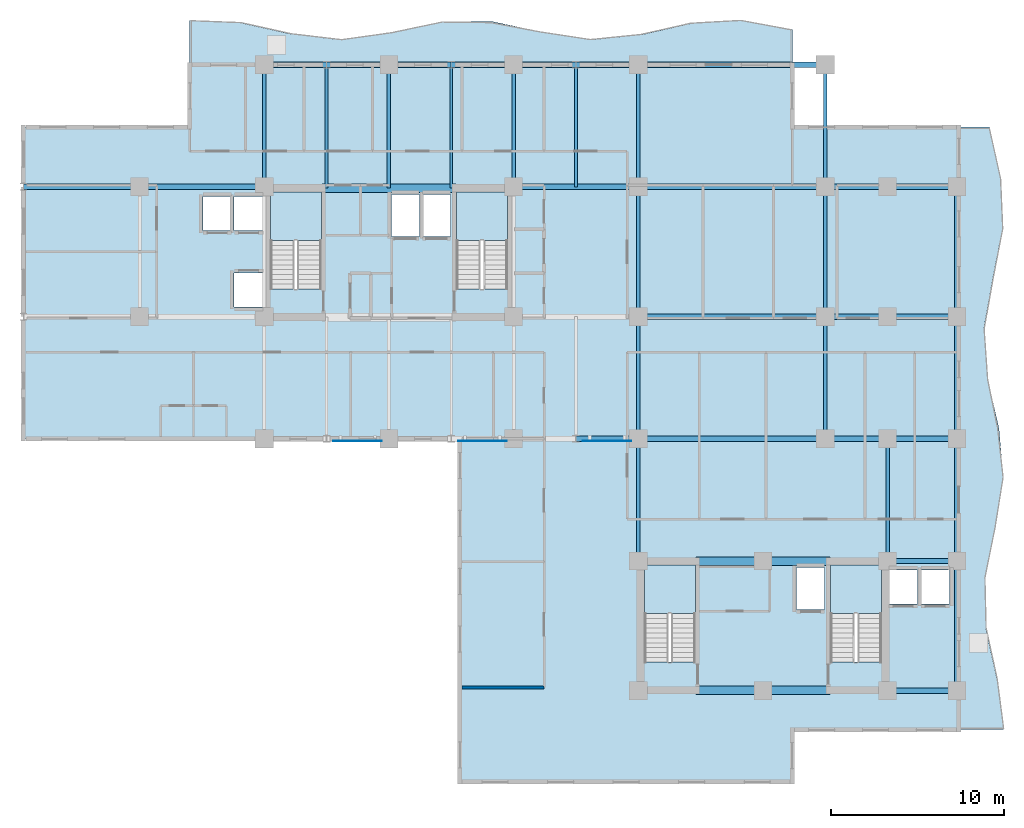
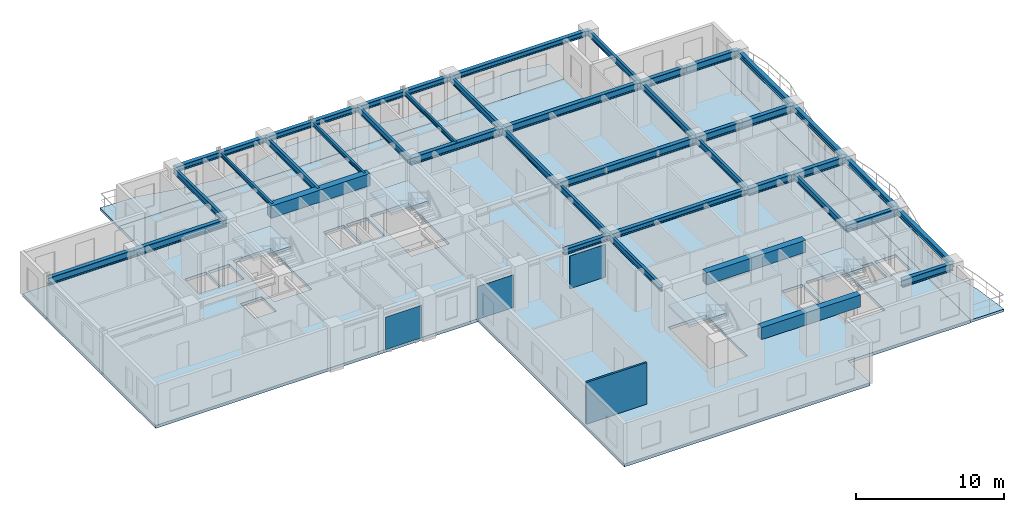
# One storey, part 3 of 13: 43 beams, 7 slabs, 3 plates, 1 wall, 4 elements without a shape of their own.
"""IFC4 building model written with IfcOpenShell, lengths in metres."""

from ifc_helpers import new_model, si_unit, direction, frame, frame_2d, origin, origin_2d, place, context, subcontext, project, spatial, polyline, rectangle, i_section, outline, extrude, source, transform, mapped, material, layer, layer_set, material_profile, profile_set, type_object, element, aggregate, save


model = new_model("IFC4")

# Units and contexts
model_context = context("Model", 3, precision=1e-05, world=origin(), true_north=direction((0.0, 1.0)))
body_context = subcontext(model_context, "Body", "Model", "MODEL_VIEW")
ifc_project = project(units=[si_unit("LENGTHUNIT", "METRE"), si_unit("AREAUNIT", "SQUARE_METRE"), si_unit("VOLUMEUNIT", "CUBIC_METRE"), si_unit("PLANEANGLEUNIT", "RADIAN"), si_unit("MASSUNIT", "GRAM", prefix="KILO")], contexts=[model_context])

# Site, building, storey
site_placement = place(None, origin())
site = spatial("IfcSite", under=ifc_project, at=site_placement, CompositionType="ELEMENT")
building_placement = place(site_placement, origin())
building = spatial("IfcBuilding", under=site, at=building_placement, Name="Kaliganga Portal Commons", CompositionType="ELEMENT")
storey_placement = place(building_placement, frame((0.0, 0.0, 166.10009765625)))
storey = spatial("IfcBuildingStorey", under=building, at=storey_placement, Name="L42", CompositionType="ELEMENT", Elevation=166.10009765625)

# Beams
ifc_material_1 = material(Name="Concrete C50/60", Category="concrete")
ifc_material_profile_1 = material_profile(ifc_material_1, rectangle(XDim=0.5, YDim=1.0, at=origin_2d()), Name="RC 500x1000")
ifc_profile_set_1 = profile_set([ifc_material_profile_1], Name="Concrete C50/60")
beam_type_1 = type_object("IfcBeamType", Name="BM-CPL-1000", PredefinedType="LINTEL", material=ifc_profile_set_1)
shared_shape_1 = source(origin(), body_context, "Body", "SweptSolid", [
    extrude(rectangle(XDim=0.5, YDim=1.0, at=origin_2d()), origin(), (0.0, 0.0, 1.0), 7.739990234375),
])
for number, where, z_axis, x_axis, name in (
    (1, (17.72998046875, 36.074951171875, 2.9599609375), (1.0, 0.0, 0.0), (0.0, 1.0, 0.0), "BM CPL COREA L42 N"),
    (2, (39.330078125, 7.074951171875, 2.9599609375), (1.0, 0.0, 0.0), (0.0, 1.0, 0.0), "BM CPL COREB L42 S"),
    (3, (39.330078125, 14.52490234375, 2.9599609375), (1.0, 0.0, 0.0), (0.0, 1.0, 0.0), "BM CPL COREB L42 N"),
):
    element("IfcBeam", number, at=place(storey_placement, frame(where, z_axis=z_axis, x_axis=x_axis)), inside=storey, type_object=beam_type_1, Name=name, PredefinedType="LINTEL", context=body_context, shape_type="MappedRepresentation", body=[
        mapped(shared_shape_1, transform((0.0, 0.0, 0.0), x_axis=(1.0, 0.0, 0.0), y_axis=(0.0, 1.0, 0.0), z_axis=(0.0, 0.0, 1.0), scale=1.0)),
    ])
ifc_material_2 = material(Name="Structural steel S355J2", Category="steel")
ifc_material_profile_2 = material_profile(ifc_material_2, i_section(OverallWidth=0.199951171875, OverallDepth=0.5, WebThickness=0.01025390625, FlangeThickness=0.01611328125, FilletRadius=0.02099609375, at=origin_2d()), Name="IPE 500")
ifc_profile_set_2 = profile_set([ifc_material_profile_2], Name="Structural steel S355J2 wide-flange")
beam_type_2 = type_object("IfcBeamType", Name="BM-FLR-500", PredefinedType="BEAM", material=ifc_profile_set_2)
shared_shape_2 = source(origin(), body_context, "Body", "SweptSolid", [
    extrude(i_section(OverallWidth=0.199951171875, OverallDepth=0.5, WebThickness=0.01025390625, FlangeThickness=0.01611328125, FilletRadius=0.02099609375, at=origin_2d()), origin(), (0.0, 0.0, 1.0), 7.5),
])
for number, where, z_axis, x_axis, name in (
    (4, (36.0, 28.64990234375, 3.2099609375), (0.0, 1.0, 0.0), (-1.0, 0.0, 0.0), "BM G L42 AM360"),
    (5, (46.800048828125, 28.64990234375, 3.2099609375), (0.0, 1.0, 0.0), (-1.0, 0.0, 0.0), "BM G L42 AM468"),
):
    element("IfcBeam", number, at=place(storey_placement, frame(where, z_axis=z_axis, x_axis=x_axis)), inside=storey, type_object=beam_type_2, Name=name, PredefinedType="BEAM", context=body_context, shape_type="MappedRepresentation", body=[
        mapped(shared_shape_2, transform((0.0, 0.0, 0.0), x_axis=(1.0, 0.0, 0.0), y_axis=(0.0, 1.0, 0.0), z_axis=(0.0, 0.0, 1.0), scale=1.0)),
    ])
shared_shape_3 = source(origin(), body_context, "Body", "SweptSolid", [
    extrude(i_section(OverallWidth=0.199951171875, OverallDepth=0.5, WebThickness=0.01025390625, FlangeThickness=0.01611328125, FilletRadius=0.02099609375, at=origin_2d()), origin(), (0.0, 0.0, 1.0), 7.050048828125),
])
for number, where, z_axis, x_axis, name in (
    (6, (14.39990234375, 36.14990234375, 3.2099609375), (0.0, 1.0, 0.0), (-1.0, 0.0, 0.0), "BM G L42 AN144"),
    (7, (28.800048828125, 36.14990234375, 3.2099609375), (0.0, 1.0, 0.0), (-1.0, 0.0, 0.0), "BM G L42 AN288"),
    (8, (36.0, 36.14990234375, 3.2099609375), (0.0, 1.0, 0.0), (-1.0, 0.0, 0.0), "BM G L42 AN360"),
    (9, (46.800048828125, 36.14990234375, 3.2099609375), (0.0, 1.0, 0.0), (-1.0, 0.0, 0.0), "BM G L42 AN468"),
    (10, (36.0, 14.550048828125, 3.2099609375), (0.0, 1.0, 0.0), (-1.0, 0.0, 0.0), "BM G L42 BNK360"),
    (11, (50.39990234375, 14.550048828125, 3.2099609375), (0.0, 1.0, 0.0), (-1.0, 0.0, 0.0), "BM G L42 BNK504"),
):
    element("IfcBeam", number, at=place(storey_placement, frame(where, z_axis=z_axis, x_axis=x_axis)), inside=storey, type_object=beam_type_2, Name=name, PredefinedType="BEAM", context=body_context, shape_type="MappedRepresentation", body=[
        mapped(shared_shape_3, transform((0.0, 0.0, 0.0), x_axis=(1.0, 0.0, 0.0), y_axis=(0.0, 1.0, 0.0), z_axis=(0.0, 0.0, 1.0), scale=1.0)),
    ])
shared_shape_4 = source(origin(), body_context, "Body", "SweptSolid", [
    extrude(i_section(OverallWidth=0.199951171875, OverallDepth=0.5, WebThickness=0.01025390625, FlangeThickness=0.01611328125, FilletRadius=0.02099609375, at=origin_2d()), origin(), (0.0, 0.0, 1.0), 7.0498046875),
])
for number, where, z_axis, x_axis, name in (
    (12, (36.0, 21.60009765625, 3.2099609375), (0.0, 1.0, 0.0), (-1.0, 0.0, 0.0), "BM G L42 AS360"),
    (13, (46.800048828125, 21.60009765625, 3.2099609375), (0.0, 1.0, 0.0), (-1.0, 0.0, 0.0), "BM G L42 AS468"),
):
    element("IfcBeam", number, at=place(storey_placement, frame(where, z_axis=z_axis, x_axis=x_axis)), inside=storey, type_object=beam_type_2, Name=name, PredefinedType="BEAM", context=body_context, shape_type="MappedRepresentation", body=[
        mapped(shared_shape_4, transform((0.0, 0.0, 0.0), x_axis=(1.0, 0.0, 0.0), y_axis=(0.0, 1.0, 0.0), z_axis=(0.0, 0.0, 1.0), scale=1.0)),
    ])
ifc_material_profile_3 = material_profile(ifc_material_2, i_section(OverallWidth=0.300048828125, OverallDepth=0.449951171875, WebThickness=0.013916015625, FlangeThickness=0.02587890625, FilletRadius=0.027099609375, at=origin_2d()), Name="HE 450 B")
ifc_profile_set_3 = profile_set([ifc_material_profile_3], Name="Structural steel S355J2 wide-flange")
beam_type_3 = type_object("IfcBeamType", Name="BM-SPAND-450", PredefinedType="SPANDREL", material=ifc_profile_set_3)
shared_shape_5 = source(origin(), body_context, "Body", "SweptSolid", [
    extrude(i_section(OverallWidth=0.300048828125, OverallDepth=0.449951171875, WebThickness=0.013916015625, FlangeThickness=0.02587890625, FilletRadius=0.027099609375, at=origin_2d()), origin(), (0.0, 0.0, 1.0), 3.60009765625),
])
for number, where, z_axis, x_axis, name in (
    (14, (14.39990234375, 43.199951171875, 3.23486328125), (1.0, 0.0, 0.0), (0.0, 1.0, 0.0), "BM SP L42 AN 1"),
    (15, (18.0, 43.199951171875, 3.23486328125), (1.0, 0.0, 0.0), (0.0, 1.0, 0.0), "BM SP L42 AN 2"),
    (16, (25.199951171875, 43.199951171875, 3.23486328125), (1.0, 0.0, 0.0), (0.0, 1.0, 0.0), "BM SP L42 AN 4"),
    (17, (32.39990234375, 43.199951171875, 3.23486328125), (1.0, 0.0, 0.0), (0.0, 1.0, 0.0), "BM SP L42 AN 6"),
    (18, (32.39990234375, 21.60009765625, 3.23486328125), (1.0, 0.0, 0.0), (0.0, 1.0, 0.0), "BM SP L42 AS 6"),
):
    element("IfcBeam", number, at=place(storey_placement, frame(where, z_axis=z_axis, x_axis=x_axis)), inside=storey, type_object=beam_type_3, Name=name, PredefinedType="SPANDREL", context=body_context, shape_type="MappedRepresentation", body=[
        mapped(shared_shape_5, transform((0.0, 0.0, 0.0), x_axis=(1.0, 0.0, 0.0), y_axis=(0.0, 1.0, 0.0), z_axis=(0.0, 0.0, 1.0), scale=1.0)),
    ])
shared_shape_6 = source(origin(), body_context, "Body", "SweptSolid", [
    extrude(i_section(OverallWidth=0.300048828125, OverallDepth=0.449951171875, WebThickness=0.013916015625, FlangeThickness=0.02587890625, FilletRadius=0.027099609375, at=origin_2d()), origin(), (0.0, 0.0, 1.0), 3.599853515625),
])
for number, where, z_axis, x_axis, name in (
    (19, (21.60009765625, 43.199951171875, 3.23486328125), (1.0, 0.0, 0.0), (0.0, 1.0, 0.0), "BM SP L42 AN 3"),
    (20, (28.800048828125, 43.199951171875, 3.23486328125), (1.0, 0.0, 0.0), (0.0, 1.0, 0.0), "BM SP L42 AN 5"),
):
    element("IfcBeam", number, at=place(storey_placement, frame(where, z_axis=z_axis, x_axis=x_axis)), inside=storey, type_object=beam_type_3, Name=name, PredefinedType="SPANDREL", context=body_context, shape_type="MappedRepresentation", body=[
        mapped(shared_shape_6, transform((0.0, 0.0, 0.0), x_axis=(1.0, 0.0, 0.0), y_axis=(0.0, 1.0, 0.0), z_axis=(0.0, 0.0, 1.0), scale=1.0)),
    ])
shared_shape_7 = source(origin(), body_context, "Body", "SweptSolid", [
    extrude(i_section(OverallWidth=0.300048828125, OverallDepth=0.449951171875, WebThickness=0.013916015625, FlangeThickness=0.02587890625, FilletRadius=0.027099609375, at=origin_2d()), origin(), (0.0, 0.0, 1.0), 10.800048828125),
])
for number, where, z_axis, x_axis, name in (
    (21, (36.0, 43.199951171875, 3.23486328125), (1.0, 0.0, 0.0), (0.0, 1.0, 0.0), "BM SP L42 AN 7"),
    (22, (36.0, 21.60009765625, 3.23486328125), (1.0, 0.0, 0.0), (0.0, 1.0, 0.0), "BM SP L42 AS 7"),
):
    element("IfcBeam", number, at=place(storey_placement, frame(where, z_axis=z_axis, x_axis=x_axis)), inside=storey, type_object=beam_type_3, Name=name, PredefinedType="SPANDREL", context=body_context, shape_type="MappedRepresentation", body=[
        mapped(shared_shape_7, transform((0.0, 0.0, 0.0), x_axis=(1.0, 0.0, 0.0), y_axis=(0.0, 1.0, 0.0), z_axis=(0.0, 0.0, 1.0), scale=1.0)),
    ])
ifc_material_profile_4 = material_profile(ifc_material_2, i_section(OverallWidth=0.159912109375, OverallDepth=0.330078125, WebThickness=0.007568359375, FlangeThickness=0.011474609375, FilletRadius=0.01806640625, at=origin_2d()), Name="IPE 330")
ifc_profile_set_4 = profile_set([ifc_material_profile_4], Name="Structural steel S355J2 wide-flange")
beam_type_4 = type_object("IfcBeamType", Name="BM-JST-330", PredefinedType="JOIST", material=ifc_profile_set_4)
shared_shape_8 = source(origin(), body_context, "Body", "SweptSolid", [
    extrude(i_section(OverallWidth=0.159912109375, OverallDepth=0.330078125, WebThickness=0.007568359375, FlangeThickness=0.011474609375, FilletRadius=0.01806640625, at=origin_2d()), origin(), (0.0, 0.0, 1.0), 7.050048828125),
])
beam_1_placement = place(storey_placement, frame((32.39990234375, 36.14990234375, 3.294921875), z_axis=(0.0, 1.0, 0.0), x_axis=(-1.0, 0.0, 0.0)))
element("IfcBeam", 23, at=beam_1_placement, inside=storey, type_object=beam_type_4, Name="BM G L42 AN324", PredefinedType="JOIST", context=body_context, shape_type="MappedRepresentation", body=[
    mapped(shared_shape_8, transform((0.0, 0.0, 0.0), x_axis=(1.0, 0.0, 0.0), y_axis=(0.0, 1.0, 0.0), z_axis=(0.0, 0.0, 1.0), scale=1.0)),
])
shared_shape_9 = source(origin(), body_context, "Body", "SweptSolid", [
    extrude(i_section(OverallWidth=0.300048828125, OverallDepth=0.449951171875, WebThickness=0.013916015625, FlangeThickness=0.02587890625, FilletRadius=0.027099609375, at=origin_2d()), origin(), (0.0, 0.0, 1.0), 7.5),
])
for number, where, z_axis, x_axis, name in (
    (24, (54.39990234375, 7.050048828125, 3.23486328125), (0.0, 1.0, 0.0), (-1.0, 0.0, 0.0), "BM SP L42 BE 1"),
    (25, (54.39990234375, 28.64990234375, 3.23486328125), (0.0, 1.0, 0.0), (-1.0, 0.0, 0.0), "BM SP L42 BE 4"),
):
    element("IfcBeam", number, at=place(storey_placement, frame(where, z_axis=z_axis, x_axis=x_axis)), inside=storey, type_object=beam_type_3, Name=name, PredefinedType="SPANDREL", context=body_context, shape_type="MappedRepresentation", body=[
        mapped(shared_shape_9, transform((0.0, 0.0, 0.0), x_axis=(1.0, 0.0, 0.0), y_axis=(0.0, 1.0, 0.0), z_axis=(0.0, 0.0, 1.0), scale=1.0)),
    ])
shared_shape_10 = source(origin(), body_context, "Body", "SweptSolid", [
    extrude(i_section(OverallWidth=0.300048828125, OverallDepth=0.449951171875, WebThickness=0.013916015625, FlangeThickness=0.02587890625, FilletRadius=0.027099609375, at=origin_2d()), origin(), (0.0, 0.0, 1.0), 7.050048828125),
])
beam_2_placement = place(storey_placement, frame((54.39990234375, 14.550048828125, 3.23486328125), z_axis=(0.0, 1.0, 0.0), x_axis=(-1.0, 0.0, 0.0)))
element("IfcBeam", 26, at=beam_2_placement, inside=storey, type_object=beam_type_3, Name="BM SP L42 BE 2", PredefinedType="SPANDREL", context=body_context, shape_type="MappedRepresentation", body=[
    mapped(shared_shape_10, transform((0.0, 0.0, 0.0), x_axis=(1.0, 0.0, 0.0), y_axis=(0.0, 1.0, 0.0), z_axis=(0.0, 0.0, 1.0), scale=1.0)),
])
shared_shape_11 = source(origin(), body_context, "Body", "SweptSolid", [
    extrude(i_section(OverallWidth=0.300048828125, OverallDepth=0.449951171875, WebThickness=0.013916015625, FlangeThickness=0.02587890625, FilletRadius=0.027099609375, at=origin_2d()), origin(), (0.0, 0.0, 1.0), 7.0498046875),
])
beam_3_placement = place(storey_placement, frame((54.39990234375, 21.60009765625, 3.23486328125), z_axis=(0.0, 1.0, 0.0), x_axis=(-1.0, 0.0, 0.0)))
element("IfcBeam", 27, at=beam_3_placement, inside=storey, type_object=beam_type_3, Name="BM SP L42 BE 3", PredefinedType="SPANDREL", context=body_context, shape_type="MappedRepresentation", body=[
    mapped(shared_shape_11, transform((0.0, 0.0, 0.0), x_axis=(1.0, 0.0, 0.0), y_axis=(0.0, 1.0, 0.0), z_axis=(0.0, 0.0, 1.0), scale=1.0)),
])
ifc_material_profile_5 = material_profile(ifc_material_2, i_section(OverallWidth=0.300048828125, OverallDepth=0.60009765625, WebThickness=0.015380859375, FlangeThickness=0.030029296875, FilletRadius=0.027099609375, at=origin_2d()), Name="HE 600 B")
ifc_profile_set_5 = profile_set([ifc_material_profile_5], Name="Structural steel S355J2 wide-flange")
beam_type_5 = type_object("IfcBeamType", Name="BM-GIRD-600", PredefinedType="USERDEFINED", material=ifc_profile_set_5)
shared_shape_12 = source(origin(), body_context, "Body", "SweptSolid", [
    extrude(i_section(OverallWidth=0.300048828125, OverallDepth=0.60009765625, WebThickness=0.015380859375, FlangeThickness=0.030029296875, FilletRadius=0.027099609375, at=origin_2d()), origin(), (0.0, 0.0, 1.0), 6.699951171875),
])
beam_4_placement = place(storey_placement, frame((0.5, 36.14990234375, 3.159912109375), z_axis=(1.0, 0.0, 0.0), x_axis=(0.0, 1.0, 0.0)))
element("IfcBeam", 28, at=beam_4_placement, inside=storey, type_object=beam_type_5, Name="BM G L42 WAH_N 1", ObjectType="GIRDER", PredefinedType="USERDEFINED", context=body_context, shape_type="MappedRepresentation", body=[
    mapped(shared_shape_12, transform((0.0, 0.0, 0.0), x_axis=(1.0, 0.0, 0.0), y_axis=(0.0, 1.0, 0.0), z_axis=(0.0, 0.0, 1.0), scale=1.0)),
])
shared_shape_13 = source(origin(), body_context, "Body", "SweptSolid", [
    extrude(i_section(OverallWidth=0.300048828125, OverallDepth=0.60009765625, WebThickness=0.015380859375, FlangeThickness=0.030029296875, FilletRadius=0.027099609375, at=origin_2d()), origin(), (0.0, 0.0, 1.0), 7.199951171875),
])
for number, where, z_axis, x_axis, name in (
    (29, (7.199951171875, 36.14990234375, 3.159912109375), (1.0, 0.0, 0.0), (0.0, 1.0, 0.0), "BM G L42 WAH_N 2"),
    (30, (28.800048828125, 36.14990234375, 3.159912109375), (1.0, 0.0, 0.0), (0.0, 1.0, 0.0), "BM G L42 WAE_N 1"),
):
    element("IfcBeam", number, at=place(storey_placement, frame(where, z_axis=z_axis, x_axis=x_axis)), inside=storey, type_object=beam_type_5, Name=name, ObjectType="GIRDER", PredefinedType="USERDEFINED", context=body_context, shape_type="MappedRepresentation", body=[
        mapped(shared_shape_13, transform((0.0, 0.0, 0.0), x_axis=(1.0, 0.0, 0.0), y_axis=(0.0, 1.0, 0.0), z_axis=(0.0, 0.0, 1.0), scale=1.0)),
    ])
shared_shape_14 = source(origin(), body_context, "Body", "SweptSolid", [
    extrude(i_section(OverallWidth=0.300048828125, OverallDepth=0.60009765625, WebThickness=0.015380859375, FlangeThickness=0.030029296875, FilletRadius=0.027099609375, at=origin_2d()), origin(), (0.0, 0.0, 1.0), 10.800048828125),
])
for number, where, z_axis, x_axis, name in (
    (31, (36.0, 28.64990234375, 3.159912109375), (1.0, 0.0, 0.0), (0.0, 1.0, 0.0), "BM G L42 WAE_S 2"),
    (32, (36.0, 36.14990234375, 3.159912109375), (1.0, 0.0, 0.0), (0.0, 1.0, 0.0), "BM G L42 WAE_N 2"),
):
    element("IfcBeam", number, at=place(storey_placement, frame(where, z_axis=z_axis, x_axis=x_axis)), inside=storey, type_object=beam_type_5, Name=name, ObjectType="GIRDER", PredefinedType="USERDEFINED", context=body_context, shape_type="MappedRepresentation", body=[
        mapped(shared_shape_14, transform((0.0, 0.0, 0.0), x_axis=(1.0, 0.0, 0.0), y_axis=(0.0, 1.0, 0.0), z_axis=(0.0, 0.0, 1.0), scale=1.0)),
    ])
shared_shape_15 = source(origin(), body_context, "Body", "SweptSolid", [
    extrude(i_section(OverallWidth=0.159912109375, OverallDepth=0.330078125, WebThickness=0.007568359375, FlangeThickness=0.011474609375, FilletRadius=0.01806640625, at=origin_2d()), origin(), (0.0, 0.0, 1.0), 7.125),
])
for number, where, z_axis, x_axis, name in (
    (33, (18.0, 36.074951171875, 3.294921875), (0.0, 1.0, 0.0), (-1.0, 0.0, 0.0), "BM G L42 AN180"),
    (34, (25.199951171875, 36.074951171875, 3.294921875), (0.0, 1.0, 0.0), (-1.0, 0.0, 0.0), "BM G L42 AN252"),
):
    element("IfcBeam", number, at=place(storey_placement, frame(where, z_axis=z_axis, x_axis=x_axis)), inside=storey, type_object=beam_type_4, Name=name, PredefinedType="JOIST", context=body_context, shape_type="MappedRepresentation", body=[
        mapped(shared_shape_15, transform((0.0, 0.0, 0.0), x_axis=(1.0, 0.0, 0.0), y_axis=(0.0, 1.0, 0.0), z_axis=(0.0, 0.0, 1.0), scale=1.0)),
    ])
shared_shape_16 = source(origin(), body_context, "Body", "SweptSolid", [
    extrude(i_section(OverallWidth=0.199951171875, OverallDepth=0.5, WebThickness=0.01025390625, FlangeThickness=0.01611328125, FilletRadius=0.02099609375, at=origin_2d()), origin(), (0.0, 0.0, 1.0), 7.125),
])
beam_5_placement = place(storey_placement, frame((21.60009765625, 36.074951171875, 3.2099609375), z_axis=(0.0, 1.0, 0.0), x_axis=(-1.0, 0.0, 0.0)))
element("IfcBeam", 35, at=beam_5_placement, inside=storey, type_object=beam_type_2, Name="BM G L42 AN216", PredefinedType="BEAM", context=body_context, shape_type="MappedRepresentation", body=[
    mapped(shared_shape_16, transform((0.0, 0.0, 0.0), x_axis=(1.0, 0.0, 0.0), y_axis=(0.0, 1.0, 0.0), z_axis=(0.0, 0.0, 1.0), scale=1.0)),
])
shared_shape_17 = source(origin(), body_context, "Body", "SweptSolid", [
    extrude(i_section(OverallWidth=0.300048828125, OverallDepth=0.60009765625, WebThickness=0.015380859375, FlangeThickness=0.030029296875, FilletRadius=0.027099609375, at=origin_2d()), origin(), (0.0, 0.0, 1.0), 4.0),
])
for number, where, z_axis, x_axis, name in (
    (36, (50.39990234375, 7.050048828125, 3.159912109375), (1.0, 0.0, 0.0), (0.0, 1.0, 0.0), "BM G L42 BKE70 1"),
    (37, (50.39990234375, 14.550048828125, 3.159912109375), (1.0, 0.0, 0.0), (0.0, 1.0, 0.0), "BM G L42 BKE146 1"),
    (38, (50.39990234375, 21.60009765625, 3.159912109375), (1.0, 0.0, 0.0), (0.0, 1.0, 0.0), "BM G L42 BKE216 2"),
    (39, (50.39990234375, 28.64990234375, 3.159912109375), (1.0, 0.0, 0.0), (0.0, 1.0, 0.0), "BM G L42 BKE286 2"),
    (40, (50.39990234375, 36.14990234375, 3.159912109375), (1.0, 0.0, 0.0), (0.0, 1.0, 0.0), "BM G L42 BKE362 2"),
):
    element("IfcBeam", number, at=place(storey_placement, frame(where, z_axis=z_axis, x_axis=x_axis)), inside=storey, type_object=beam_type_5, Name=name, ObjectType="GIRDER", PredefinedType="USERDEFINED", context=body_context, shape_type="MappedRepresentation", body=[
        mapped(shared_shape_17, transform((0.0, 0.0, 0.0), x_axis=(1.0, 0.0, 0.0), y_axis=(0.0, 1.0, 0.0), z_axis=(0.0, 0.0, 1.0), scale=1.0)),
    ])
shared_shape_18 = source(origin(), body_context, "Body", "SweptSolid", [
    extrude(i_section(OverallWidth=0.300048828125, OverallDepth=0.60009765625, WebThickness=0.015380859375, FlangeThickness=0.030029296875, FilletRadius=0.027099609375, at=origin_2d()), origin(), (0.0, 0.0, 1.0), 3.599853515625),
])
for number, where, z_axis, x_axis, name in (
    (41, (46.800048828125, 21.60009765625, 3.159912109375), (1.0, 0.0, 0.0), (0.0, 1.0, 0.0), "BM G L42 BKE216 1"),
    (42, (46.800048828125, 28.64990234375, 3.159912109375), (1.0, 0.0, 0.0), (0.0, 1.0, 0.0), "BM G L42 BKE286 1"),
    (43, (46.800048828125, 36.14990234375, 3.159912109375), (1.0, 0.0, 0.0), (0.0, 1.0, 0.0), "BM G L42 BKE362 1"),
):
    element("IfcBeam", number, at=place(storey_placement, frame(where, z_axis=z_axis, x_axis=x_axis)), inside=storey, type_object=beam_type_5, Name=name, ObjectType="GIRDER", PredefinedType="USERDEFINED", context=body_context, shape_type="MappedRepresentation", body=[
        mapped(shared_shape_18, transform((0.0, 0.0, 0.0), x_axis=(1.0, 0.0, 0.0), y_axis=(0.0, 1.0, 0.0), z_axis=(0.0, 0.0, 1.0), scale=1.0)),
    ])

# Slabs
ifc_material_3 = material(Name="Concrete C40/50", Category="concrete")
ifc_layer_1 = layer(ifc_material_3, 0.2099609375)
ifc_layer_set_1 = layer_set([ifc_layer_1], Name="Concrete C40/50")
slab_type_1 = type_object("IfcSlabType", Name="SLB-BALC-210", PredefinedType="FLOOR", material=ifc_layer_set_1)
slab_1_placement = place(storey_placement, frame((0.0, 0.0, -0.210205078125)))
element("IfcSlab", 44, at=slab_1_placement, inside=storey, type_object=slab_type_1, Name="Scalloped Tree-Planter Balcony Slab L42 balc_north", PredefinedType="FLOOR", context=body_context, shape_type="SweptSolid", body=[
    extrude(outline(polyline([(44.89990234375, 43.199951171875), (44.89990234375, 45.221435546875), (42.0, 45.763671875), (39.10009765625, 45.599609375), (36.199951171875, 44.942626953125), (33.300048828125, 44.649169921875), (30.39990234375, 45.101318359375), (27.5, 45.7099609375), (24.60009765625, 45.682373046875), (21.699951171875, 45.05419921875), (18.800048828125, 44.64404296875), (15.89990234375, 44.986083984375), (13.0, 45.634765625), (10.10009765625, 45.744873046875), (10.10009765625, 43.199951171875), (44.89990234375, 43.199951171875)])), origin(), (0.0, 0.0, 1.0), 0.210205078125),
])
slab_2_placement = place(storey_placement, frame((0.0, 0.0, -0.210205078125)))
element("IfcSlab", 45, at=slab_2_placement, inside=storey, type_object=slab_type_1, Name="Scalloped Tree-Planter Balcony Slab L42 balc_east", PredefinedType="FLOOR", context=body_context, shape_type="SweptSolid", body=[
    extrude(outline(polyline([(54.5, 4.800048828125), (57.10009765625, 4.800048828125), (56.72314453125, 7.699951171875), (56.08349609375, 10.60009765625), (56.014404296875, 13.5), (56.60595703125, 16.39990234375), (57.08740234375, 19.300048828125), (56.83154296875, 22.199951171875), (56.171630859375, 25.10009765625), (55.967529296875, 28.0), (56.485107421875, 30.89990234375), (57.050048828125, 33.800048828125), (56.92626953125, 36.699951171875), (56.275146484375, 39.60009765625), (54.5, 39.60009765625), (54.5, 4.800048828125)])), origin(), (0.0, 0.0, 1.0), 0.210205078125),
])

# Stair, slab
stair_type = type_object("IfcStairType", Name="ST-CORE-DOGLEG", PredefinedType="HALF_TURN_STAIR", material=ifc_material_3)
stair_1_placement = place(storey_placement, origin())
stair_1 = element("IfcStair", 46, at=stair_1_placement, inside=storey, type_object=stair_type, Name="L42 Protected Exit Stair ST-A1", PredefinedType="HALF_TURN_STAIR")
ifc_layer_2 = layer(ifc_material_3, 0.199951171875)
ifc_layer_set_2 = layer_set([ifc_layer_2], Name="Concrete C40/50")
slab_type_2 = type_object("IfcSlabType", Name="SLB-STAIR-LND", PredefinedType="LANDING", material=ifc_layer_set_2)
slab_3_placement = place(storey_placement, frame((0.0, 0.0, 1.64990234375)))
slab_3 = element("IfcSlab", 47, at=slab_3_placement, type_object=slab_type_2, Name="ST-A1 landing 1", PredefinedType="LANDING", context=body_context, shape_type="SweptSolid", body=[
    extrude(outline(polyline([(17.699951171875, 33.050048828125), (17.699951171875, 35.85009765625), (14.75, 35.85009765625), (14.75, 33.050048828125), (17.699951171875, 33.050048828125)])), origin(), (0.0, 0.0, 1.0), 0.199951171875),
])
aggregate(stair_1, [slab_3])

stair_2_placement = place(storey_placement, origin())
stair_2 = element("IfcStair", 48, at=stair_2_placement, inside=storey, type_object=stair_type, Name="L42 Protected Exit Stair ST-A2", PredefinedType="HALF_TURN_STAIR")
slab_4_placement = place(storey_placement, frame((0.0, 0.0, 1.64990234375)))
slab_4 = element("IfcSlab", 49, at=slab_4_placement, type_object=slab_type_2, Name="ST-A2 landing 1", PredefinedType="LANDING", context=body_context, shape_type="SweptSolid", body=[
    extrude(outline(polyline([(28.449951171875, 33.050048828125), (28.449951171875, 35.85009765625), (25.5, 35.85009765625), (25.5, 33.050048828125), (28.449951171875, 33.050048828125)])), origin(), (0.0, 0.0, 1.0), 0.199951171875),
])
aggregate(stair_2, [slab_4])

stair_3_placement = place(storey_placement, origin())
stair_3 = element("IfcStair", 50, at=stair_3_placement, inside=storey, type_object=stair_type, Name="L42 Protected Exit Stair ST-B1", PredefinedType="HALF_TURN_STAIR")
slab_5_placement = place(storey_placement, frame((0.0, 0.0, 1.64990234375)))
slab_5 = element("IfcSlab", 51, at=slab_5_placement, type_object=slab_type_2, Name="ST-B1 landing 1", PredefinedType="LANDING", context=body_context, shape_type="SweptSolid", body=[
    extrude(outline(polyline([(39.300048828125, 11.5), (39.300048828125, 14.300048828125), (36.35009765625, 14.300048828125), (36.35009765625, 11.5), (39.300048828125, 11.5)])), origin(), (0.0, 0.0, 1.0), 0.199951171875),
])
aggregate(stair_3, [slab_5])

stair_4_placement = place(storey_placement, origin())
stair_4 = element("IfcStair", 52, at=stair_4_placement, inside=storey, type_object=stair_type, Name="L42 Protected Exit Stair ST-B2", PredefinedType="HALF_TURN_STAIR")
slab_6_placement = place(storey_placement, frame((0.0, 0.0, 1.64990234375)))
slab_6 = element("IfcSlab", 53, at=slab_6_placement, type_object=slab_type_2, Name="ST-B2 landing 1", PredefinedType="LANDING", context=body_context, shape_type="SweptSolid", body=[
    extrude(outline(polyline([(50.050048828125, 11.5), (50.050048828125, 14.300048828125), (47.10009765625, 14.300048828125), (47.10009765625, 11.5), (50.050048828125, 11.5)])), origin(), (0.0, 0.0, 1.0), 0.199951171875),
])
aggregate(stair_4, [slab_6])

# Slab
ifc_layer_3 = layer(ifc_material_3, 0.239990234375)
ifc_layer_set_3 = layer_set([ifc_layer_3], Name="Concrete C40/50")
slab_type_3 = type_object("IfcSlabType", Name="SLB-TWR-240", PredefinedType="FLOOR", material=ifc_layer_set_3)
slab_7_placement = place(storey_placement, frame((0.0, 0.0, -0.239990234375)))
element("IfcSlab", 54, at=slab_7_placement, inside=storey, type_object=slab_type_3, Name="Structural Floor Slab L42", PredefinedType="FLOOR", context=body_context, shape_type="SweptSolid", body=[
    extrude(outline(polyline([(25.699951171875, 1.800048828125), (44.89990234375, 1.800048828125), (44.89990234375, 4.800048828125), (54.5, 4.800048828125), (54.5, 39.60009765625), (44.89990234375, 39.60009765625), (44.89990234375, 43.199951171875), (10.10009765625, 43.199951171875), (10.10009765625, 39.60009765625), (0.5, 39.60009765625), (0.5, 21.60009765625), (25.699951171875, 21.60009765625), (25.699951171875, 1.800048828125)]), holes=[polyline([(14.75, 30.25390625), (14.75, 35.85009765625), (17.699951171875, 35.85009765625), (17.699951171875, 30.25390625), (14.75, 30.25390625)]), polyline([(25.5, 30.25390625), (25.5, 35.85009765625), (28.449951171875, 35.85009765625), (28.449951171875, 30.25390625), (25.5, 30.25390625)]), polyline([(36.35009765625, 8.7041015625), (36.35009765625, 14.300048828125), (39.300048828125, 14.300048828125), (39.300048828125, 8.7041015625), (36.35009765625, 8.7041015625)]), polyline([(47.10009765625, 8.7041015625), (47.10009765625, 14.300048828125), (50.050048828125, 14.300048828125), (50.050048828125, 8.7041015625), (47.10009765625, 8.7041015625)]), polyline([(12.6650390625, 33.614990234375), (12.6650390625, 35.5849609375), (14.3349609375, 35.5849609375), (14.3349609375, 33.614990234375), (12.6650390625, 33.614990234375)]), polyline([(12.6650390625, 29.215087890625), (12.6650390625, 31.18505859375), (14.3349609375, 31.18505859375), (14.3349609375, 29.215087890625), (12.6650390625, 29.215087890625)]), polyline([(10.864990234375, 33.614990234375), (10.864990234375, 35.5849609375), (12.534912109375, 35.5849609375), (12.534912109375, 33.614990234375), (10.864990234375, 33.614990234375)]), polyline([(21.739990234375, 33.2900390625), (21.739990234375, 35.7099609375), (23.360107421875, 35.7099609375), (23.360107421875, 33.2900390625), (21.739990234375, 33.2900390625)]), polyline([(23.5400390625, 33.2900390625), (23.5400390625, 35.7099609375), (25.159912109375, 35.7099609375), (25.159912109375, 33.2900390625), (23.5400390625, 33.2900390625)]), polyline([(50.465087890625, 12.06494140625), (50.465087890625, 14.034912109375), (52.135009765625, 14.034912109375), (52.135009765625, 12.06494140625), (50.465087890625, 12.06494140625)]), polyline([(52.31494140625, 12.06494140625), (52.31494140625, 14.034912109375), (53.985107421875, 14.034912109375), (53.985107421875, 12.06494140625), (52.31494140625, 12.06494140625)]), polyline([(45.139892578125, 11.739990234375), (45.139892578125, 14.159912109375), (46.760009765625, 14.159912109375), (46.760009765625, 11.739990234375), (45.139892578125, 11.739990234375)])]), origin(), (0.0, 0.0, 1.0), 0.239990234375),
])

# Plates
ifc_material_4 = material(Name="Perforated Bronze-Anodized Aluminium Solar Screen", Category="aluminium")
ifc_layer_4 = layer(ifc_material_4, 0.01806640625)
ifc_layer_set_4 = layer_set([ifc_layer_4], Name="Perforated Bronze-Anodized Aluminium Solar Screen")
plate_type = type_object("IfcPlateType", Name="PLT-SCR-18", PredefinedType="USERDEFINED", material=ifc_layer_set_4)
shared_shape_19 = source(origin(), body_context, "Body", "SweptSolid", [
    extrude(rectangle(XDim=2.800048828125, YDim=0.01806640625, at=origin_2d()), origin(), (0.0, 0.0, 1.0), 2.68994140625),
])
for number, where, z_axis, x_axis, name in (
    (55, (19.800048828125, 21.47998046875, 0.079833984375), (0.0, 0.0, 1.0), (1.0, 0.0, 0.0), "Perforated Solar Screen L42-S1"),
    (56, (27.0, 21.47998046875, 0.079833984375), (0.0, 0.0, 1.0), (1.0, 0.0, 0.0), "Perforated Solar Screen L42-S2"),
    (57, (34.199951171875, 21.47998046875, 0.079833984375), (0.0, 0.0, 1.0), (1.0, 0.0, 0.0), "Perforated Solar Screen L42-S3"),
):
    element("IfcPlate", number, at=place(storey_placement, frame(where, z_axis=z_axis, x_axis=x_axis)), inside=storey, type_object=plate_type, Name=name, ObjectType="SOLAR SCREEN", PredefinedType="USERDEFINED", context=body_context, shape_type="MappedRepresentation", body=[
        mapped(shared_shape_19, transform((0.0, 0.0, 0.0), x_axis=(1.0, 0.0, 0.0), y_axis=(0.0, 1.0, 0.0), z_axis=(0.0, 0.0, 1.0), scale=1.0)),
    ])

# Wall
ifc_material_5 = material(Name="Fire-Rated Gypsum Board on Steel Stud", Category="steel")
ifc_layer_5 = layer(ifc_material_5, 0.14990234375)
ifc_layer_set_5 = layer_set([ifc_layer_5], Name="Fire-Rated Gypsum Board on Steel Stud")
wall_type = type_object("IfcWallType", Name="WL-PART-CORR-150", PredefinedType="PARTITIONING", material=ifc_layer_set_5)
wall_placement = place(storey_placement, frame((25.83203125, 7.239990234375, 0.0), z_axis=(0.0, 0.0, 1.0), x_axis=(1.0, 0.0, 0.0)))
element("IfcWall", 58, at=wall_placement, inside=storey, type_object=wall_type, Name="Interior Partition L42-021", PredefinedType="PARTITIONING", context=body_context, shape_type="SweptSolid", body=[
    extrude(rectangle(XDim=4.72802734375, YDim=0.14990234375, at=frame_2d((2.364013671875, 0.0))), origin(), (0.0, 0.0, 1.0), 3.43994140625),
])

save(model, "model.ifc")
